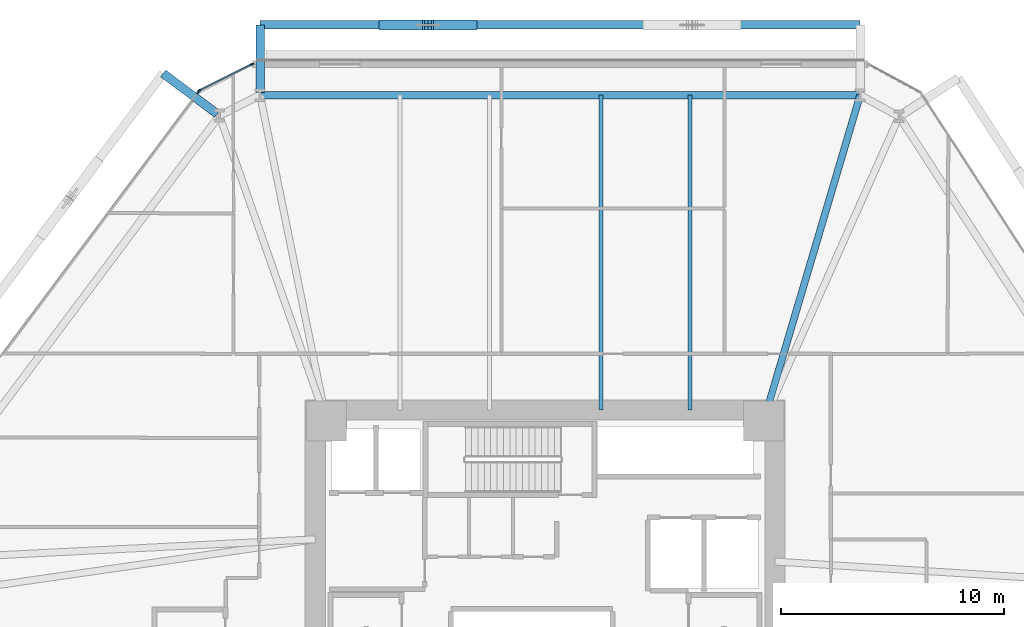
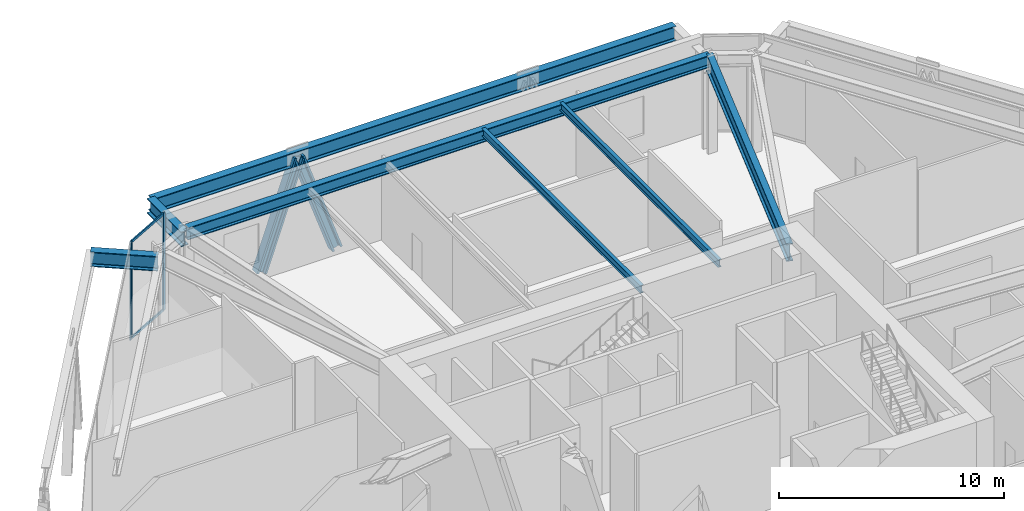
# One storey, part 9 of 23: 7 beams, 7 members, 2 elements without a shape of their own.
"""IFC4 building model written with IfcOpenShell, lengths in metres."""

from ifc_helpers import new_model, si_unit, direction, frame, origin, origin_2d, place, context, subcontext, project, spatial, rectangle, i_section, extrude, source, transform, mapped, material, layer, layer_set, material_profile, profile_set, type_object, type_shapes, element, aggregate, save


model = new_model("IFC4")

# Units and contexts
model_context = context("Model", 3, precision=1e-05, world=origin(), true_north=direction((0.0, 1.0)))
body_context = subcontext(model_context, "Body", "Model", "MODEL_VIEW")
ifc_project = project(units=[si_unit("LENGTHUNIT", "METRE"), si_unit("AREAUNIT", "SQUARE_METRE"), si_unit("VOLUMEUNIT", "CUBIC_METRE"), si_unit("PLANEANGLEUNIT", "RADIAN"), si_unit("MASSUNIT", "GRAM", prefix="KILO")], contexts=[model_context])

# Site, building, storey
site_placement = place(None, origin())
site = spatial("IfcSite", under=ifc_project, at=site_placement, CompositionType="ELEMENT")
building_placement = place(site_placement, origin())
building = spatial("IfcBuilding", under=site, at=building_placement, Name="Durnholm Broadcast Tower", CompositionType="ELEMENT")
storey_placement = place(building_placement, frame((0.0, 0.0, 21.199951171875)))
storey = spatial("IfcBuildingStorey", under=building, at=storey_placement, Name="L04", CompositionType="ELEMENT", Elevation=21.199951171875)

# Beams
ifc_material_1 = material(Name="Steel ASTM A992 Grade 50", Category="steel")
ifc_material_profile_1 = material_profile(ifc_material_1, i_section(OverallWidth=0.3330078125, OverallDepth=0.660888671875, WebThickness=0.0244140625, FlangeThickness=0.0439453125, FilletRadius=0.02783203125, at=origin_2d()), Name="W24X229")
ifc_profile_set_1 = profile_set([ifc_material_profile_1], Name="Steel ASTM A992 Grade 50")
beam_type_1 = type_object("IfcBeamType", Name="STL-SP-W24X229", PredefinedType="SPANDREL", material=ifc_profile_set_1)
shared_shape_1 = source(origin(), body_context, "Body", "SweptSolid", [
    extrude(i_section(OverallWidth=0.3330078125, OverallDepth=0.660888671875, WebThickness=0.0244140625, FlangeThickness=0.0439453125, FilletRadius=0.02783203125, at=origin_2d()), origin(), (0.0, 0.0, 1.0), 26.891357421875),
])
type_shapes(beam_type_1, [shared_shape_1])
beam_1_placement = place(storey_placement, frame((-12.77197265625, 22.39990234375, 4.9345703125), z_axis=(1.0, 0.0, 0.0), x_axis=(0.0, 1.0, 0.0)))
element("IfcBeam", 1, at=beam_1_placement, inside=storey, type_object=beam_type_1, Name="L04 perimeter spandrel girder 05", PredefinedType="SPANDREL", context=body_context, shape_type="MappedRepresentation", body=[
    mapped(shared_shape_1, transform((0.0, 0.0, 0.0), x_axis=(1.0, 0.0, 0.0), y_axis=(0.0, 1.0, 0.0), z_axis=(0.0, 0.0, 1.0), scale=1.0)),
])
ifc_material_profile_2 = material_profile(ifc_material_1, i_section(OverallWidth=0.180908203125, OverallDepth=0.417236328125, WebThickness=0.010986328125, FlangeThickness=0.018310546875, FilletRadius=0.01904296875, at=origin_2d()), Name="W16X57")
ifc_profile_set_2 = profile_set([ifc_material_profile_2], Name="Steel ASTM A992 Grade 50")
beam_type_2 = type_object("IfcBeamType", Name="STL-BJ-W16X57", PredefinedType="JOIST", material=ifc_profile_set_2)
shared_shape_2 = source(origin(), body_context, "Body", "SweptSolid", [
    extrude(i_section(OverallWidth=0.180908203125, OverallDepth=0.417236328125, WebThickness=0.010986328125, FlangeThickness=0.018310546875, FilletRadius=0.01904296875, at=origin_2d()), origin(), (0.0, 0.0, 1.0), 14.099853515625),
])
type_shapes(beam_type_2, [shared_shape_2])
for number, where, z_axis, x_axis, name in (
    (2, (2.5, 8.300048828125, 5.056396484375), (0.0, 1.0, 0.0), (-1.0, 0.0, 0.0), "L04 secondary floor joist 6.2"),
    (3, (6.5, 8.300048828125, 5.056396484375), (0.0, 1.0, 0.0), (-1.0, 0.0, 0.0), "L04 secondary floor joist 7.2"),
):
    element("IfcBeam", number, at=place(storey_placement, frame(where, z_axis=z_axis, x_axis=x_axis)), inside=storey, type_object=beam_type_2, Name=name, PredefinedType="JOIST", context=body_context, shape_type="MappedRepresentation", body=[
        mapped(shared_shape_2, transform((0.0, 0.0, 0.0), x_axis=(1.0, 0.0, 0.0), y_axis=(0.0, 1.0, 0.0), z_axis=(0.0, 0.0, 1.0), scale=1.0)),
    ])
ifc_material_profile_3 = material_profile(ifc_material_1, i_section(OverallWidth=0.385009765625, OverallDepth=0.802978515625, WebThickness=0.023681640625, FlangeThickness=0.0419921875, FilletRadius=0.032958984375, at=origin_2d()), Name="W30X261")
ifc_profile_set_3 = profile_set([ifc_material_profile_3], Name="Steel ASTM A992 Grade 50")
beam_type_3 = type_object("IfcBeamType", Name="BM-EXO-TIE", PredefinedType="USERDEFINED", material=ifc_profile_set_3)
shared_shape_3 = source(origin(), body_context, "Body", "SweptSolid", [
    extrude(i_section(OverallWidth=0.385009765625, OverallDepth=0.802978515625, WebThickness=0.023681640625, FlangeThickness=0.0419921875, FilletRadius=0.032958984375, at=origin_2d()), origin(), (0.0, 0.0, 1.0), 3.024169921875),
])
for number, where, z_axis, x_axis, name in (
    (4, (-12.77197265625, 22.52587890625, 4.528564453125), (0.0, 1.0, 0.0), (-1.0, 0.0, 0.0), "L04 exoskeleton stand-off tie bracket F4.2"),
    (5, (-14.6953125, 21.56298828125, 4.528564453125), (-0.800609912919, 0.599185920509, 0.0), (-0.599185920509, -0.800609912919, 0.0), "L04 exoskeleton stand-off tie bracket F5.1"),
):
    element("IfcBeam", number, at=place(storey_placement, frame(where, z_axis=z_axis, x_axis=x_axis)), inside=storey, type_object=beam_type_3, Name=name, ObjectType="GIRDER", PredefinedType="USERDEFINED", context=body_context, shape_type="MappedRepresentation", body=[
        mapped(shared_shape_3, transform((0.0, 0.0, 0.0), x_axis=(1.0, 0.0, 0.0), y_axis=(0.0, 1.0, 0.0), z_axis=(0.0, 0.0, 1.0), scale=1.0)),
    ])
shared_shape_4 = source(origin(), body_context, "Body", "SweptSolid", [
    extrude(i_section(OverallWidth=0.385009765625, OverallDepth=0.802978515625, WebThickness=0.023681640625, FlangeThickness=0.0419921875, FilletRadius=0.032958984375, at=origin_2d()), origin(), (0.0, 0.0, 1.0), 26.891357421875),
])
type_shapes(beam_type_3, [shared_shape_3, shared_shape_4])
beam_2_placement = place(storey_placement, frame((14.119384765625, 25.550048828125, 4.528564453125), z_axis=(-1.0, 0.0, 0.0), x_axis=(0.0, -1.0, 0.0)))
element("IfcBeam", 6, at=beam_2_placement, inside=storey, type_object=beam_type_3, Name="L04 exoskeleton collector spandrel F4", PredefinedType="SPANDREL", context=body_context, shape_type="MappedRepresentation", body=[
    mapped(shared_shape_4, transform((0.0, 0.0, 0.0), x_axis=(1.0, 0.0, 0.0), y_axis=(0.0, 1.0, 0.0), z_axis=(0.0, 0.0, 1.0), scale=1.0)),
])
ifc_material_profile_4 = material_profile(ifc_material_1, i_section(OverallWidth=0.310302734375, OverallDepth=0.950439453125, WebThickness=0.0244140625, FlangeThickness=0.0439453125, FilletRadius=0.0380859375, at=origin_2d()), Name="W36X256")
ifc_profile_set_4 = profile_set([ifc_material_profile_4], Name="Steel ASTM A992 Grade 50")
beam_type_4 = type_object("IfcBeamType", Name="STL-GR-W36X256", PredefinedType="USERDEFINED", material=ifc_profile_set_4)
shared_shape_5 = source(origin(), body_context, "Body", "SweptSolid", [
    extrude(i_section(OverallWidth=0.310302734375, OverallDepth=0.950439453125, WebThickness=0.0244140625, FlangeThickness=0.0439453125, FilletRadius=0.0380859375, at=origin_2d()), origin(), (0.0, 0.0, 1.0), 15.225341796875),
])
type_shapes(beam_type_4, [shared_shape_5])
beam_3_placement = place(storey_placement, frame((9.800048828125, 7.800048828125, 4.789794921875), z_axis=(0.283693029157, 0.958915150161, 0.0), x_axis=(-0.958915150161, 0.283693029157, 0.0)))
element("IfcBeam", 7, at=beam_3_placement, inside=storey, type_object=beam_type_4, Name="L04 radial primary floor girder 06", ObjectType="GIRDER", PredefinedType="USERDEFINED", context=body_context, shape_type="MappedRepresentation", body=[
    mapped(shared_shape_5, transform((0.0, 0.0, 0.0), x_axis=(1.0, 0.0, 0.0), y_axis=(0.0, 1.0, 0.0), z_axis=(0.0, 0.0, 1.0), scale=1.0)),
])

# Members
ifc_material_2 = material(Name="Steel ASTM A913 Grade 65", Category="steel")
ifc_material_profile_5 = material_profile(ifc_material_2, i_section(OverallWidth=0.44189453125, OverallDepth=0.531494140625, WebThickness=0.06591796875, FlangeThickness=0.105712890625, FilletRadius=0.030517578125, at=origin_2d()), Name="W14X605")
ifc_profile_set_5 = profile_set([ifc_material_profile_5], Name="Steel ASTM A913 Grade 65")
member_type_1 = type_object("IfcMemberType", Name="STL-DG-W14X605", PredefinedType="BRACE", material=ifc_profile_set_5)
shared_shape_6 = source(origin(), body_context, "Body", "SweptSolid", [
    extrude(i_section(OverallWidth=0.44189453125, OverallDepth=0.531494140625, WebThickness=0.06591796875, FlangeThickness=0.105712890625, FilletRadius=0.030517578125, at=origin_2d()), origin(), (0.0, 0.0, 1.0), 5.927978515625),
])
type_shapes(member_type_1, [shared_shape_6])
for number, where, z_axis, x_axis, name in (
    (8, (-3.298095703125, 25.550048828125, -1.071533203125), (-0.327990249611, 0.0, 0.944681108184), (0.0, -1.0, 0.0), "L04 stand-off diagrid brace F4.D2.1"),
    (9, (-7.1865234375, 25.550048828125, -1.071533203125), (0.327953495245, 0.0, 0.944693868381), (0.0, 1.0, 0.0), "L04 stand-off diagrid brace F4.D2.2"),
):
    element("IfcMember", number, at=place(storey_placement, frame(where, z_axis=z_axis, x_axis=x_axis)), inside=storey, type_object=member_type_1, Name=name, PredefinedType="BRACE", context=body_context, shape_type="MappedRepresentation", body=[
        mapped(shared_shape_6, transform((0.0, 0.0, 0.0), x_axis=(1.0, 0.0, 0.0), y_axis=(0.0, 1.0, 0.0), z_axis=(0.0, 0.0, 1.0), scale=1.0)),
    ])

# Curtain wall, members
ifc_material_3 = material(Name="Aluminium and Solar Control IGU", Category="aluminium")
ifc_layer_1 = layer(ifc_material_3, 0.1650390625)
ifc_layer_set_1 = layer_set([ifc_layer_1], Name="Aluminium and Solar Control IGU")
curtain_wall_type_1 = type_object("IfcCurtainWallType", Name="CW-SYS-5", PredefinedType="NOTDEFINED", material=ifc_layer_set_1)
curtain_wall_1_placement = place(storey_placement, origin())
curtain_wall_1 = element("IfcCurtainWall", 10, at=curtain_wall_1_placement, inside=storey, type_object=curtain_wall_type_1, Name="L04 curtain wall CW-CORNER CW-L04-CRN-03", PredefinedType="NOTDEFINED")
ifc_material_4 = material(Name="Aluminium 6063-T6", Category="aluminium")
ifc_material_profile_6 = material_profile(ifc_material_4, rectangle(XDim=0.06494140625, YDim=0.1298828125, at=origin_2d()), Name="CWT65X130")
ifc_profile_set_6 = profile_set([ifc_material_profile_6], Name="Aluminium 6063-T6")
member_type_2 = type_object("IfcMemberType", Name="CW-SYS-5-TRN", PredefinedType="USERDEFINED", material=ifc_profile_set_6)
shared_shape_7 = source(origin(), body_context, "Body", "SweptSolid", [
    extrude(rectangle(XDim=0.06494140625, YDim=0.1298828125, at=origin_2d()), origin(), (0.0, 0.0, 1.0), 2.570068359375),
])
type_shapes(member_type_2, [shared_shape_7])
member_1_placement = place(storey_placement, frame((-15.458984375, 22.620361328125, 0.032470703125), z_axis=(0.894180069769, 0.447707496953, 0.0), x_axis=(-0.447707496953, 0.894180069769, 0.0)))
member_1 = element("IfcMember", 11, at=member_1_placement, type_object=member_type_2, Name="CW-CORNER transom 1.1", ObjectType="TRANSOM", PredefinedType="USERDEFINED", context=body_context, shape_type="MappedRepresentation", body=[
    mapped(shared_shape_7, transform((0.0, 0.0, 0.0), x_axis=(1.0, 0.0, 0.0), y_axis=(0.0, 1.0, 0.0), z_axis=(0.0, 0.0, 1.0), scale=1.0)),
])
member_2_placement = place(storey_placement, frame((-15.458984375, 22.620361328125, 5.24755859375), z_axis=(0.894180069769, 0.447707496953, 0.0), x_axis=(-0.447707496953, 0.894180069769, 0.0)))
member_2 = element("IfcMember", 12, at=member_2_placement, type_object=member_type_2, Name="CW-CORNER transom 1.2", ObjectType="TRANSOM", PredefinedType="USERDEFINED", context=body_context, shape_type="MappedRepresentation", body=[
    mapped(shared_shape_7, transform((0.0, 0.0, 0.0), x_axis=(1.0, 0.0, 0.0), y_axis=(0.0, 1.0, 0.0), z_axis=(0.0, 0.0, 1.0), scale=1.0)),
])
ifc_material_profile_7 = material_profile(ifc_material_4, rectangle(XDim=0.06494140625, YDim=0.1650390625, at=origin_2d()), Name="CWM65X165")
ifc_profile_set_7 = profile_set([ifc_material_profile_7], Name="Aluminium 6063-T6")
member_type_3 = type_object("IfcMemberType", Name="CW-SYS-5-MUL", PredefinedType="MULLION", material=ifc_profile_set_7)
shared_shape_8 = source(origin(), body_context, "Body", "SweptSolid", [
    extrude(rectangle(XDim=0.06494140625, YDim=0.1650390625, at=origin_2d()), origin(), (0.0, 0.0, 1.0), 5.280029296875),
])
type_shapes(member_type_3, [shared_shape_8])
member_3_placement = place(storey_placement, frame((-15.488037109375, 22.60595703125, 0.0), z_axis=(0.0, 0.0, 1.0), x_axis=(-0.447672802098, 0.894197440313, 0.0)))
member_3 = element("IfcMember", 13, at=member_3_placement, type_object=member_type_3, Name="CW-CORNER mullion 1", PredefinedType="MULLION", context=body_context, shape_type="MappedRepresentation", body=[
    mapped(shared_shape_8, transform((0.0, 0.0, 0.0), x_axis=(1.0, 0.0, 0.0), y_axis=(0.0, 1.0, 0.0), z_axis=(0.0, 0.0, 1.0), scale=1.0)),
])
member_4_placement = place(storey_placement, frame((-13.1318359375, 23.785400390625, 0.0), z_axis=(0.0, 0.0, 1.0), x_axis=(-0.447672802098, 0.894197440313, 0.0)))
member_4 = element("IfcMember", 14, at=member_4_placement, type_object=member_type_3, Name="CW-CORNER mullion 2", PredefinedType="MULLION", context=body_context, shape_type="MappedRepresentation", body=[
    mapped(shared_shape_8, transform((0.0, 0.0, 0.0), x_axis=(1.0, 0.0, 0.0), y_axis=(0.0, 1.0, 0.0), z_axis=(0.0, 0.0, 1.0), scale=1.0)),
])
aggregate(curtain_wall_1, [member_3, member_4, member_1, member_2])

# Curtain wall, member
ifc_layer_2 = layer(ifc_material_3, 0.219970703125)
ifc_layer_set_2 = layer_set([ifc_layer_2], Name="Aluminium and Solar Control IGU")
curtain_wall_type_2 = type_object("IfcCurtainWallType", Name="CW-SYS-2", PredefinedType="NOTDEFINED", material=ifc_layer_set_2)
curtain_wall_2_placement = place(storey_placement, origin())
curtain_wall_2 = element("IfcCurtainWall", 15, at=curtain_wall_2_placement, inside=storey, type_object=curtain_wall_type_2, Name="L04 curtain wall CW-STUDIO CW-L04-F02", PredefinedType="NOTDEFINED")
ifc_material_profile_8 = material_profile(ifc_material_4, rectangle(XDim=0.074951171875, YDim=0.219970703125, at=origin_2d()), Name="CWM75X220")
ifc_profile_set_8 = profile_set([ifc_material_profile_8], Name="Aluminium 6063-T6")
member_type_4 = type_object("IfcMemberType", Name="CW-SYS-2-MUL", PredefinedType="MULLION", material=ifc_profile_set_8)
shared_shape_9 = source(origin(), body_context, "Body", "SweptSolid", [
    extrude(rectangle(XDim=0.074951171875, YDim=0.219970703125, at=origin_2d()), origin(), (0.0, 0.0, 1.0), 5.280029296875),
])
type_shapes(member_type_4, [shared_shape_9])
member_5_placement = place(storey_placement, frame((-15.53955078125, 22.561279296875, 0.0), z_axis=(0.0, 0.0, 1.0), x_axis=(-0.800631836327, 0.59915662615, 0.0)))
member_5 = element("IfcMember", 16, at=member_5_placement, type_object=member_type_4, Name="CW-STUDIO mullion 3", PredefinedType="MULLION", context=body_context, shape_type="MappedRepresentation", body=[
    mapped(shared_shape_9, transform((0.0, 0.0, 0.0), x_axis=(1.0, 0.0, 0.0), y_axis=(0.0, 1.0, 0.0), z_axis=(0.0, 0.0, 1.0), scale=1.0)),
])
aggregate(curtain_wall_2, [member_5])

save(model, "model.ifc")
